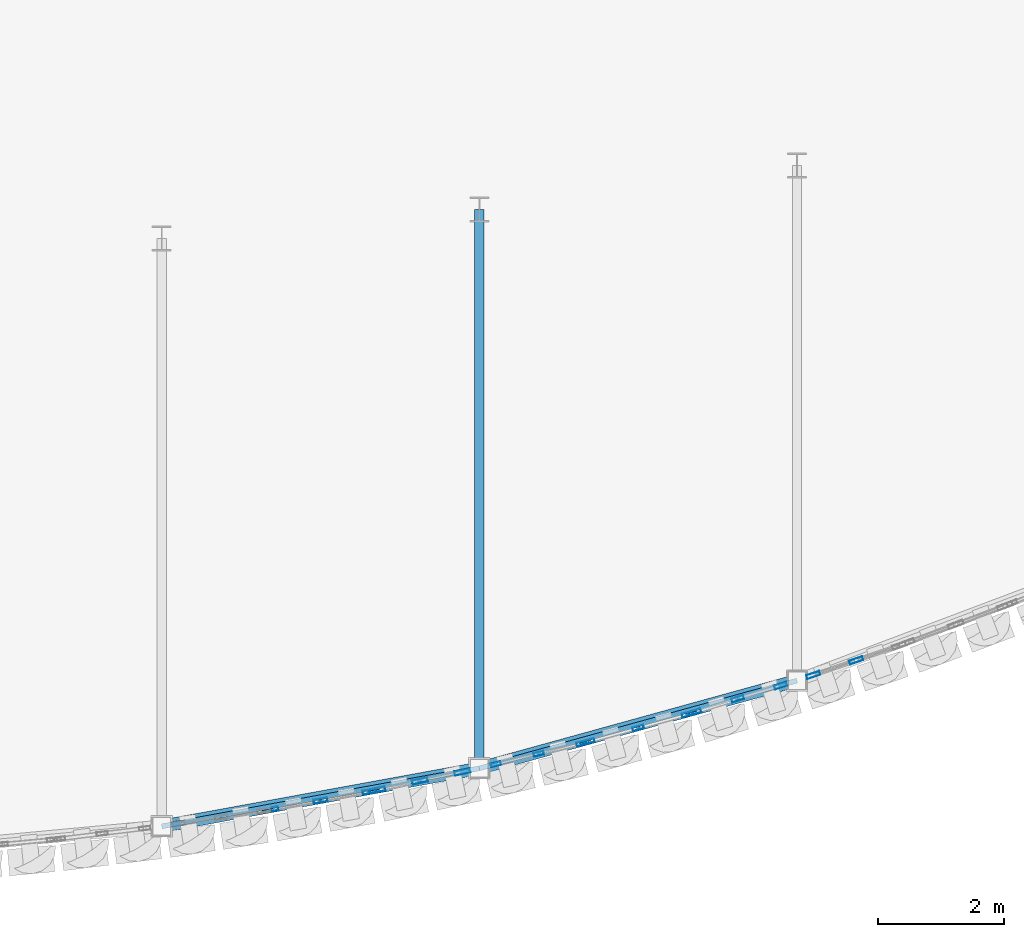
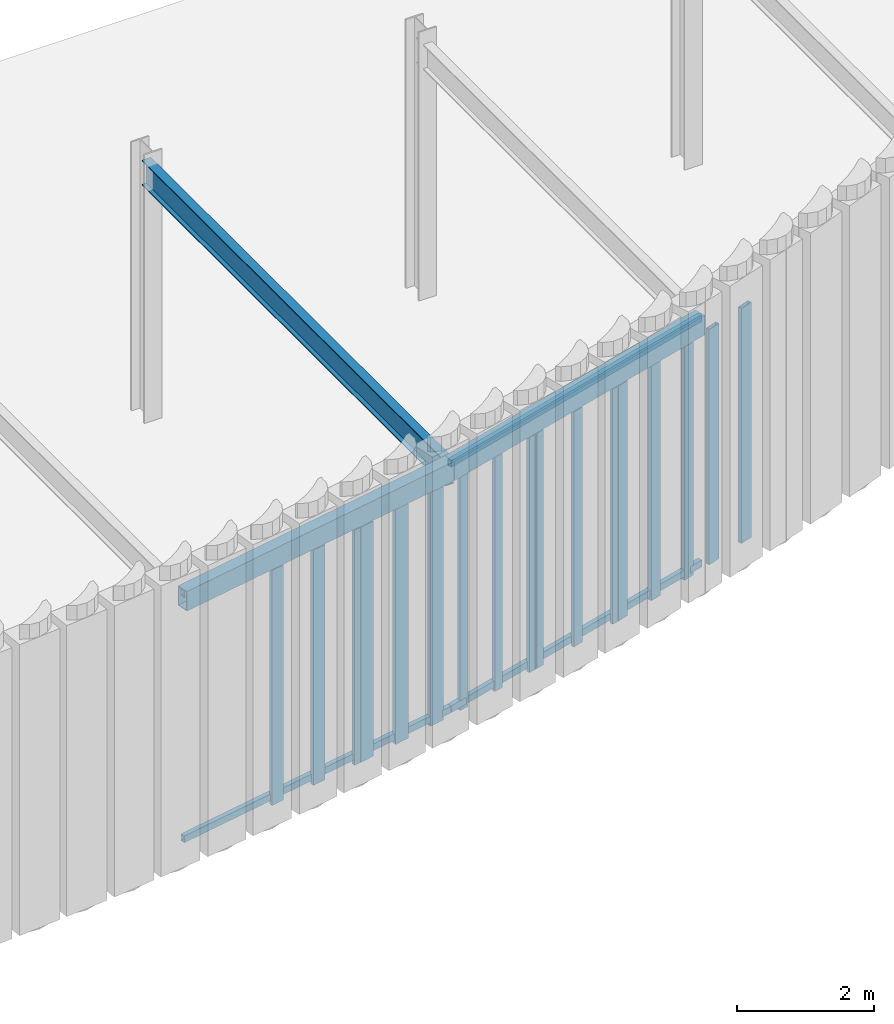
# One storey, part 47 of 126: 21 members, 3 beams, 6 elements without a shape of their own.
"""IFC4 building model written with IfcOpenShell, lengths in metres."""

import ifcopenshell
import ifcopenshell.guid

model = None  # the IFC model being written
_history = None  # IfcOwnerHistory: only IFC2X3 demands one
_inside = {}  # id of a spatial element -> (the spatial element, [elements in it])
_under = {}  # id of a project, library or spatial element -> (it, [spatial elements below it])
_declared = {}  # id of a project -> (the project, [libraries it declares])
_typed = {}  # id of a type object -> (the type object, [elements of that type])
_made_of = {}  # id of a material, layer set ... -> (it, [elements and type objects made of it])


def new_model(schema):
    """Start an empty IFC model of exactly this schema.

    Asked for "IFC4X3", IfcOpenShell would pick the latest addendum, in which some entities
    have other attributes; the version numbers below select the first issue.
    IFC2X3 requires an IfcOwnerHistory on every rooted entity: one is made here for all.
    """
    global model, _history
    if schema == "IFC4X3":
        model = ifcopenshell.file(schema_version=(4, 3, 0, 0))
    else:
        model = ifcopenshell.file(schema=schema)
    _inside.clear()
    _under.clear()
    _declared.clear()
    _typed.clear()
    _made_of.clear()
    _history = None
    if model.schema == "IFC2X3":
        org = make("IfcOrganization", Name="unknown")
        user = make(
            "IfcPersonAndOrganization",
            ThePerson=make("IfcPerson", FamilyName="unknown"),
            TheOrganization=org,
        )
        app = make(
            "IfcApplication",
            ApplicationDeveloper=org,
            Version="unknown",
            ApplicationFullName="unknown",
            ApplicationIdentifier="unknown",
        )
        _history = make(
            "IfcOwnerHistory",
            OwningUser=user,
            OwningApplication=app,
            ChangeAction="ADDED",
            CreationDate=0,
        )
    return model


def make(cls, **values):
    """One entity of the class cls with the attributes given. An attribute that is None is left unset."""
    return model.create_entity(
        cls, **{name: value for name, value in values.items() if value is not None}
    )


def rooted(cls, **values):
    """An entity with a GlobalId (a new one), such as an element, a storey or a relation."""
    return make(cls, GlobalId=ifcopenshell.guid.new(), OwnerHistory=_history, **values)


def si_unit(unit_type, name, prefix=None):
    """IfcSIUnit, for example si_unit("LENGTHUNIT", "METRE", prefix="MILLI")."""
    return make("IfcSIUnit", UnitType=unit_type, Prefix=prefix, Name=name)


def assignment(units):
    """IfcUnitAssignment: the units of a project."""
    return None if units is None else make("IfcUnitAssignment", Units=units)


def point(xyz):
    """IfcCartesianPoint."""
    return None if xyz is None else make("IfcCartesianPoint", Coordinates=xyz)


def direction(xyz):
    """IfcDirection."""
    return None if xyz is None else make("IfcDirection", DirectionRatios=xyz)


def frame(location, z_axis=None, x_axis=None):
    """IfcAxis2Placement3D, a coordinate frame: its origin and axes. An axis left out is left unset."""
    return make(
        "IfcAxis2Placement3D",
        Location=point(location),
        Axis=direction(z_axis),
        RefDirection=direction(x_axis),
    )


def frame_2d(location, x_axis=None):
    """IfcAxis2Placement2D, a coordinate frame in the plane: its origin and x axis."""
    return make(
        "IfcAxis2Placement2D", Location=point(location), RefDirection=direction(x_axis)
    )


def origin():
    """The frame at (0, 0, 0) with its axes left unset."""
    return frame((0.0, 0.0, 0.0))


def origin_2d():
    """The frame at (0, 0) in the plane with its x axis left unset."""
    return frame_2d((0.0, 0.0))


def place(relative_to, where):
    """IfcLocalPlacement: puts the frame where relative to a parent placement (None: the world)."""
    return make(
        "IfcLocalPlacement", PlacementRelTo=relative_to, RelativePlacement=where
    )


def context(
    kind, dimensions, precision=None, world=None, true_north=None, identifier=None
):
    """IfcGeometricRepresentationContext, for example the 3D "Model" context."""
    return make(
        "IfcGeometricRepresentationContext",
        ContextIdentifier=identifier,
        ContextType=kind,
        CoordinateSpaceDimension=dimensions,
        Precision=precision,
        WorldCoordinateSystem=world,
        TrueNorth=true_north,
    )


def subcontext(parent, identifier, kind, view, scale=None):
    """IfcGeometricRepresentationSubContext, for example "Body" below "Model"."""
    return make(
        "IfcGeometricRepresentationSubContext",
        ContextIdentifier=identifier,
        ContextType=kind,
        ParentContext=parent,
        TargetScale=scale,
        TargetView=view,
    )


def project(units=None, contexts=None):
    """IfcProject with its units and contexts."""
    return rooted(
        "IfcProject",
        Name="project",
        RepresentationContexts=contexts,
        UnitsInContext=assignment(units),
    )


def spatial(cls, under=None, at=None, **own):
    """A site, building, storey or space (cls), placed at a placement, below another one or the project."""
    s = rooted(cls, ObjectPlacement=at, **own)
    if under is not None:
        _under.setdefault(under.id(), (under, []))[1].append(s)
    return s


def profile(cls, at=None, kind="AREA", **sizes):
    """A parametric profile (cls). Its sizes go by their IFC names, for example OverallWidth=200.0."""
    return make(cls, ProfileType=kind, Position=at, **sizes)


def hollow_rectangle(**sizes):
    """IfcRectangleHollowProfileDef."""
    return profile("IfcRectangleHollowProfileDef", **sizes)


def i_section(**sizes):
    """IfcIShapeProfileDef."""
    return profile("IfcIShapeProfileDef", **sizes)


def extrude(swept, where, along, depth):
    """IfcExtrudedAreaSolid: the profile swept, set in the frame where, extruded along a direction by depth."""
    return make(
        "IfcExtrudedAreaSolid",
        SweptArea=swept,
        Position=where,
        ExtrudedDirection=direction(along),
        Depth=depth,
    )


def shape(context_of_items, identifier, shape_type, items):
    """IfcShapeRepresentation: the items that make up one representation, for example the "Body"."""
    return make(
        "IfcShapeRepresentation",
        ContextOfItems=context_of_items,
        RepresentationIdentifier=identifier,
        RepresentationType=shape_type,
        Items=items,
    )


def material(Name=None, Category=None):
    """IfcMaterial."""
    return make("IfcMaterial", Name=Name, Category=Category)


def layer(
    of_material, thickness, ventilated=None, Name=None, Category=None, Priority=None
):
    """IfcMaterialLayer: one layer of a wall or slab, of a material (None: an air gap)."""
    return make(
        "IfcMaterialLayer",
        Material=of_material,
        LayerThickness=thickness,
        IsVentilated=ventilated,
        Name=Name,
        Category=Category,
        Priority=Priority,
    )


def layer_set(layers, Name=None):
    """IfcMaterialLayerSet."""
    return make("IfcMaterialLayerSet", MaterialLayers=layers, LayerSetName=Name)


def material_profile(
    of_material, cross_section, Name=None, Category=None, Priority=None
):
    """IfcMaterialProfile: a cross section and its material."""
    return make(
        "IfcMaterialProfile",
        Name=Name,
        Material=of_material,
        Profile=cross_section,
        Priority=Priority,
        Category=Category,
    )


def profile_set(profiles, Name=None, composite=None):
    """IfcMaterialProfileSet."""
    return make(
        "IfcMaterialProfileSet",
        Name=Name,
        MaterialProfiles=profiles,
        CompositeProfile=composite,
    )


def made_of(thing, what):
    """Note that an element or type object is made of a material, layer set ...; save() writes the relation."""
    if what is not None:
        _made_of.setdefault(what.id(), (what, []))[1].append(thing)
    return thing


def type_object(cls, material=None, **own):
    """A type object (cls), such as IfcWallType, which elements share."""
    return made_of(rooted(cls, **own), material)


def element(
    cls,
    number,
    at=None,
    inside=None,
    cuts=None,
    type_object=None,
    material=None,
    context=None,
    identifier="Body",
    shape_type=None,
    held_by="IfcProductDefinitionShape",
    body=None,
    shapes=None,
    **own,
):
    """One element of the class cls, such as IfcWall. Its Tag is "e" and its number.

    at: its placement. inside: the storey or other place that contains it. cuts: it is an
    opening in that element (IfcRelVoidsElement). A single representation is given by context,
    identifier, shape_type and body (its items); several are given by shapes. held_by: the class
    of the entity that holds the representations. save() writes the other relations.
    """
    e = rooted(cls, Tag="e%d" % number, ObjectPlacement=at, **own)
    if body is not None:
        shapes = [shape(context, identifier, shape_type, body)]
    if shapes is not None:
        e.Representation = make(held_by, Representations=shapes)
    if inside is not None:
        _inside.setdefault(inside.id(), (inside, []))[1].append(e)
    if cuts is not None:
        rooted(
            "IfcRelVoidsElement", RelatingBuildingElement=cuts, RelatedOpeningElement=e
        )
    if type_object is not None:
        _typed.setdefault(type_object.id(), (type_object, []))[1].append(e)
    return made_of(e, material)


def aggregate(whole, parts):
    """IfcRelAggregates: a whole, such as a stair, and the parts it consists of."""
    return rooted("IfcRelAggregates", RelatingObject=whole, RelatedObjects=parts)


def save(model, path):
    """Write the relations noted so far, then the file.

    IfcRelAggregates (storeys below a building ...), IfcRelContainedInSpatialStructure (elements
    in a storey), IfcRelDefinesByType, IfcRelAssociatesMaterial and IfcRelDeclares: one each for
    every whole, place, type object, material and project.
    """
    for whole, parts in _under.values():
        aggregate(whole, parts)
    for where, things in _inside.values():
        rooted(
            "IfcRelContainedInSpatialStructure",
            RelatedElements=things,
            RelatingStructure=where,
        )
    for kind, things in _typed.values():
        rooted("IfcRelDefinesByType", RelatedObjects=things, RelatingType=kind)
    for what, things in _made_of.values():
        rooted("IfcRelAssociatesMaterial", RelatedObjects=things, RelatingMaterial=what)
    for by, libraries in _declared.values():
        rooted("IfcRelDeclares", RelatingContext=by, RelatedDefinitions=libraries)
    model.write(path)


model = new_model("IFC4")

# Units and contexts
model_context = context("Model", 3, precision=1e-05, world=origin(), true_north=direction((0.0, 1.0)))
body_context = subcontext(model_context, "Body", "Model", "MODEL_VIEW")
ifc_project = project(units=[si_unit("LENGTHUNIT", "METRE"), si_unit("AREAUNIT", "SQUARE_METRE"), si_unit("VOLUMEUNIT", "CUBIC_METRE"), si_unit("PLANEANGLEUNIT", "RADIAN"), si_unit("MASSUNIT", "GRAM", prefix="KILO")], contexts=[model_context])

# Site, building, storey
site_placement = place(None, origin())
site = spatial("IfcSite", under=ifc_project, at=site_placement, CompositionType="ELEMENT")
building_placement = place(site_placement, origin())
building = spatial("IfcBuilding", under=site, at=building_placement, Name="Solvadek Multi-Sports Hall", CompositionType="ELEMENT")
storey_placement = place(building_placement, frame((0.0, 0.0, 9.60009765625)))
storey = spatial("IfcBuildingStorey", under=building, at=storey_placement, Name="L02", CompositionType="ELEMENT", Elevation=9.60009765625)

# Curtain wall, members
ifc_material_1 = material(Name="Anodised aluminium", Category="aluminium")
ifc_layer_1 = layer(ifc_material_1, 0.159912109375, Name="Anodised aluminium")
ifc_layer_set_1 = layer_set([ifc_layer_1], Name="Anodised aluminium")
curtain_wall_type_1 = type_object("IfcCurtainWallType", Name="ENV-CW-146X420", PredefinedType="USERDEFINED", material=ifc_layer_set_1)
curtain_wall_1_placement = place(storey_placement, origin())
curtain_wall_1 = element("IfcCurtainWall", 1, at=curtain_wall_1_placement, inside=storey, type_object=curtain_wall_type_1, Name="L02 Crescent Curved Curtain Wall #80", ObjectType="CURTAIN WALL", PredefinedType="USERDEFINED")
ifc_material_profile_1 = material_profile(ifc_material_1, hollow_rectangle(XDim=0.06005859375, YDim=0.159912109375, WallThickness=0.00390625, at=origin_2d()), Name="ALU-M 160x60x4")
ifc_profile_set_1 = profile_set([ifc_material_profile_1], Name="Anodised aluminium")
member_type_1 = type_object("IfcMemberType", Name="ENV-CWM-01", PredefinedType="MULLION", material=ifc_profile_set_1)
member_1_placement = place(storey_placement, frame((106.822265625, -11.6748046875, 0.0), z_axis=(0.0, 0.0, 1.0), x_axis=(-0.237162825236, 0.971469914267, 0.0)))
member_1 = element("IfcMember", 2, at=member_1_placement, type_object=member_type_1, Name="CW-23 mullion 1", PredefinedType="MULLION", context=body_context, shape_type="SweptSolid", body=[
    extrude(hollow_rectangle(XDim=0.06005859375, YDim=0.159912109375, WallThickness=0.00390625, at=origin_2d()), origin(), (0.0, 0.0, 1.0), 4.199951171875),
])
member_2_placement = place(storey_placement, frame((107.501953125, -11.5087890625, 0.0), z_axis=(0.0, 0.0, 1.0), x_axis=(-0.237162825236, 0.971469914267, 0.0)))
member_2 = element("IfcMember", 3, at=member_2_placement, type_object=member_type_1, Name="CW-23 mullion 2", PredefinedType="MULLION", context=body_context, shape_type="SweptSolid", body=[
    extrude(hollow_rectangle(XDim=0.06005859375, YDim=0.159912109375, WallThickness=0.00390625, at=origin_2d()), origin(), (0.0, 0.0, 1.0), 4.199951171875),
])
member_3_placement = place(storey_placement, frame((108.181640625, -11.3427734375, 0.0), z_axis=(0.0, 0.0, 1.0), x_axis=(-0.237162825236, 0.971469914267, 0.0)))
member_3 = element("IfcMember", 4, at=member_3_placement, type_object=member_type_1, Name="CW-23 mullion 3", PredefinedType="MULLION", context=body_context, shape_type="SweptSolid", body=[
    extrude(hollow_rectangle(XDim=0.06005859375, YDim=0.159912109375, WallThickness=0.00390625, at=origin_2d()), origin(), (0.0, 0.0, 1.0), 4.199951171875),
])
aggregate(curtain_wall_1, [member_1, member_2, member_3])

ifc_layer_2 = layer(ifc_material_1, 0.159912109375, Name="Anodised aluminium")
ifc_layer_set_2 = layer_set([ifc_layer_2], Name="Anodised aluminium")
curtain_wall_type_2 = type_object("IfcCurtainWallType", Name="ENV-CW-168X420", PredefinedType="USERDEFINED", material=ifc_layer_set_2)
curtain_wall_2_placement = place(storey_placement, origin())
curtain_wall_2 = element("IfcCurtainWall", 5, at=curtain_wall_2_placement, inside=storey, type_object=curtain_wall_type_2, Name="L02 Crescent Curved Curtain Wall #82", ObjectType="CURTAIN WALL", PredefinedType="USERDEFINED")
ifc_material_profile_2 = material_profile(ifc_material_1, hollow_rectangle(XDim=0.06005859375, YDim=0.179931640625, WallThickness=0.00390625, at=origin_2d()), Name="ALU-M 180x60x4")
ifc_profile_set_2 = profile_set([ifc_material_profile_2], Name="Anodised aluminium")
member_type_2 = type_object("IfcMemberType", Name="ENV-CWM-02", PredefinedType="MULLION", material=ifc_profile_set_2)
member_4_placement = place(storey_placement, frame((108.2978515625, -11.3125, 0.0), z_axis=(0.0, 0.0, 1.0), x_axis=(-0.265982315271, 0.963977908441, 0.0)))
member_4 = element("IfcMember", 6, at=member_4_placement, type_object=member_type_2, Name="CW-22 mullion 1", PredefinedType="MULLION", context=body_context, shape_type="SweptSolid", body=[
    extrude(hollow_rectangle(XDim=0.06005859375, YDim=0.179931640625, WallThickness=0.00390625, at=origin_2d()), origin(), (0.0, 0.0, 1.0), 4.199951171875),
])
member_5_placement = place(storey_placement, frame((109.080078125, -11.0966796875, 0.0), z_axis=(0.0, 0.0, 1.0), x_axis=(-0.265982315271, 0.963977908441, 0.0)))
member_5 = element("IfcMember", 7, at=member_5_placement, type_object=member_type_2, Name="CW-22 mullion 2", PredefinedType="MULLION", context=body_context, shape_type="SweptSolid", body=[
    extrude(hollow_rectangle(XDim=0.06005859375, YDim=0.179931640625, WallThickness=0.00390625, at=origin_2d()), origin(), (0.0, 0.0, 1.0), 4.199951171875),
])
member_6_placement = place(storey_placement, frame((109.862060546875, -10.880859375, 0.0), z_axis=(0.0, 0.0, 1.0), x_axis=(-0.265982315271, 0.963977908441, 0.0)))
member_6 = element("IfcMember", 8, at=member_6_placement, type_object=member_type_2, Name="CW-22 mullion 3", PredefinedType="MULLION", context=body_context, shape_type="SweptSolid", body=[
    extrude(hollow_rectangle(XDim=0.06005859375, YDim=0.179931640625, WallThickness=0.00390625, at=origin_2d()), origin(), (0.0, 0.0, 1.0), 4.199951171875),
])
aggregate(curtain_wall_2, [member_4, member_5, member_6])

ifc_layer_3 = layer(ifc_material_1, 0.159912109375, Name="Anodised aluminium")
ifc_layer_set_3 = layer_set([ifc_layer_3], Name="Anodised aluminium")
curtain_wall_type_3 = type_object("IfcCurtainWallType", Name="ENV-CW-149X420", PredefinedType="USERDEFINED", material=ifc_layer_set_3)
curtain_wall_3_placement = place(storey_placement, origin())
curtain_wall_3 = element("IfcCurtainWall", 9, at=curtain_wall_3_placement, inside=storey, type_object=curtain_wall_type_3, Name="L02 Crescent Curved Curtain Wall #84", ObjectType="CURTAIN WALL", PredefinedType="USERDEFINED")
ifc_material_profile_3 = material_profile(ifc_material_1, hollow_rectangle(XDim=0.06494140625, YDim=0.199951171875, WallThickness=0.0048828125, at=origin_2d()), Name="ALU-M 200x65x5")
ifc_profile_set_3 = profile_set([ifc_material_profile_3], Name="Anodised aluminium")
member_type_3 = type_object("IfcMemberType", Name="ENV-CWM-03", PredefinedType="MULLION", material=ifc_profile_set_3)
member_7_placement = place(storey_placement, frame((109.979736328125, -10.8466796875, 0.0), z_axis=(0.0, 0.0, 1.0), x_axis=(-0.294921504432, 0.955521483915, 0.0)))
member_7 = element("IfcMember", 10, at=member_7_placement, type_object=member_type_3, Name="CW-21 mullion 1", PredefinedType="MULLION", context=body_context, shape_type="SweptSolid", body=[
    extrude(hollow_rectangle(XDim=0.06494140625, YDim=0.199951171875, WallThickness=0.0048828125, at=origin_2d()), origin(), (0.0, 0.0, 1.0), 4.199951171875),
])
member_8_placement = place(storey_placement, frame((110.65966796875, -10.63671875, 0.0), z_axis=(0.0, 0.0, 1.0), x_axis=(-0.294921504432, 0.955521483915, 0.0)))
member_8 = element("IfcMember", 11, at=member_8_placement, type_object=member_type_3, Name="CW-21 mullion 2", PredefinedType="MULLION", context=body_context, shape_type="SweptSolid", body=[
    extrude(hollow_rectangle(XDim=0.06494140625, YDim=0.199951171875, WallThickness=0.0048828125, at=origin_2d()), origin(), (0.0, 0.0, 1.0), 4.199951171875),
])
member_9_placement = place(storey_placement, frame((111.339599609375, -10.427001953125, 0.0), z_axis=(0.0, 0.0, 1.0), x_axis=(-0.294921504432, 0.955521483915, 0.0)))
member_9 = element("IfcMember", 12, at=member_9_placement, type_object=member_type_3, Name="CW-21 mullion 3", PredefinedType="MULLION", context=body_context, shape_type="SweptSolid", body=[
    extrude(hollow_rectangle(XDim=0.06494140625, YDim=0.199951171875, WallThickness=0.0048828125, at=origin_2d()), origin(), (0.0, 0.0, 1.0), 4.199951171875),
])
aggregate(curtain_wall_3, [member_7, member_8, member_9])

ifc_layer_4 = layer(ifc_material_1, 0.159912109375, Name="Anodised aluminium")
ifc_layer_set_4 = layer_set([ifc_layer_4], Name="Anodised aluminium")
curtain_wall_type_4 = type_object("IfcCurtainWallType", Name="ENV-CW-165X420", PredefinedType="USERDEFINED", material=ifc_layer_set_4)
curtain_wall_4_placement = place(storey_placement, origin())
curtain_wall_4 = element("IfcCurtainWall", 13, at=curtain_wall_4_placement, inside=storey, type_object=curtain_wall_type_4, Name="L02 Crescent Curved Curtain Wall #76", ObjectType="CURTAIN WALL", PredefinedType="USERDEFINED")
ifc_material_profile_4 = material_profile(ifc_material_1, hollow_rectangle(XDim=0.06494140625, YDim=0.219970703125, WallThickness=0.0048828125, at=origin_2d()), Name="ALU-M 220x65x5")
ifc_profile_set_4 = profile_set([ifc_material_profile_4], Name="Anodised aluminium")
member_type_4 = type_object("IfcMemberType", Name="ENV-CWM-04", PredefinedType="MULLION", material=ifc_profile_set_4)
member_10_placement = place(storey_placement, frame((103.261474609375, -12.3916015625, 0.0), z_axis=(0.0, 0.0, 1.0), x_axis=(-0.17939811869, 0.983776557461, 0.0)))
member_10 = element("IfcMember", 14, at=member_10_placement, type_object=member_type_4, Name="CW-25 mullion 1", PredefinedType="MULLION", context=body_context, shape_type="SweptSolid", body=[
    extrude(hollow_rectangle(XDim=0.06494140625, YDim=0.219970703125, WallThickness=0.0048828125, at=origin_2d()), origin(), (0.0, 0.0, 1.0), 4.199951171875),
])
member_11_placement = place(storey_placement, frame((104.0400390625, -12.24951171875, 0.0), z_axis=(0.0, 0.0, 1.0), x_axis=(-0.17939811869, 0.983776557461, 0.0)))
member_11 = element("IfcMember", 15, at=member_11_placement, type_object=member_type_4, Name="CW-25 mullion 2", PredefinedType="MULLION", context=body_context, shape_type="SweptSolid", body=[
    extrude(hollow_rectangle(XDim=0.06494140625, YDim=0.219970703125, WallThickness=0.0048828125, at=origin_2d()), origin(), (0.0, 0.0, 1.0), 4.199951171875),
])
member_12_placement = place(storey_placement, frame((104.818603515625, -12.107666015625, 0.0), z_axis=(0.0, 0.0, 1.0), x_axis=(-0.17939811869, 0.983776557461, 0.0)))
member_12 = element("IfcMember", 16, at=member_12_placement, type_object=member_type_4, Name="CW-25 mullion 3", PredefinedType="MULLION", context=body_context, shape_type="SweptSolid", body=[
    extrude(hollow_rectangle(XDim=0.06494140625, YDim=0.219970703125, WallThickness=0.0048828125, at=origin_2d()), origin(), (0.0, 0.0, 1.0), 4.199951171875),
])
aggregate(curtain_wall_4, [member_10, member_11, member_12])

ifc_layer_5 = layer(ifc_material_1, 0.159912109375, Name="Anodised aluminium")
ifc_layer_set_5 = layer_set([ifc_layer_5], Name="Anodised aluminium")
curtain_wall_type_5 = type_object("IfcCurtainWallType", Name="ENV-CW-151X420", PredefinedType="USERDEFINED", material=ifc_layer_set_5)
curtain_wall_5_placement = place(storey_placement, origin())
curtain_wall_5 = element("IfcCurtainWall", 17, at=curtain_wall_5_placement, inside=storey, type_object=curtain_wall_type_5, Name="L02 Crescent Curved Curtain Wall #86", ObjectType="CURTAIN WALL", PredefinedType="USERDEFINED")
member_13_placement = place(storey_placement, frame((111.85791015625, -10.25830078125, 0.0), z_axis=(0.0, 0.0, 1.0), x_axis=(-0.323729927138, 0.946149530611, 0.0)))
member_13 = element("IfcMember", 18, at=member_13_placement, type_object=member_type_4, Name="CW-20 mullion 1", PredefinedType="MULLION", context=body_context, shape_type="SweptSolid", body=[
    extrude(hollow_rectangle(XDim=0.06494140625, YDim=0.219970703125, WallThickness=0.0048828125, at=origin_2d()), origin(), (0.0, 0.0, 1.0), 4.199951171875),
])
member_14_placement = place(storey_placement, frame((112.539306640625, -10.025146484375, 0.0), z_axis=(0.0, 0.0, 1.0), x_axis=(-0.323729927138, 0.946149530611, 0.0)))
member_14 = element("IfcMember", 19, at=member_14_placement, type_object=member_type_4, Name="CW-20 mullion 2", PredefinedType="MULLION", context=body_context, shape_type="SweptSolid", body=[
    extrude(hollow_rectangle(XDim=0.06494140625, YDim=0.219970703125, WallThickness=0.0048828125, at=origin_2d()), origin(), (0.0, 0.0, 1.0), 4.199951171875),
])
aggregate(curtain_wall_5, [member_13, member_14])

ifc_layer_6 = layer(ifc_material_1, 0.159912109375, Name="Anodised aluminium")
ifc_layer_set_6 = layer_set([ifc_layer_6], Name="Anodised aluminium")
curtain_wall_type_6 = type_object("IfcCurtainWallType", Name="ENV-CW-145X420", PredefinedType="USERDEFINED", material=ifc_layer_set_6)
curtain_wall_6_placement = place(storey_placement, origin())
curtain_wall_6 = element("IfcCurtainWall", 20, at=curtain_wall_6_placement, inside=storey, type_object=curtain_wall_type_6, Name="L02 Crescent Curved Curtain Wall #78", ObjectType="CURTAIN WALL", PredefinedType="USERDEFINED")
ifc_material_profile_5 = material_profile(ifc_material_1, hollow_rectangle(XDim=0.070068359375, YDim=0.25, WallThickness=0.0048828125, at=origin_2d()), Name="ALU-M 250x70x5")
ifc_profile_set_5 = profile_set([ifc_material_profile_5], Name="Anodised aluminium")
member_type_5 = type_object("IfcMemberType", Name="ENV-CWM-05", PredefinedType="MULLION", material=ifc_profile_set_5)
member_15_placement = place(storey_placement, frame((104.943603515625, -12.0830078125, 0.0), z_axis=(0.0, 0.0, 1.0), x_axis=(-0.208255271166, 0.978074507403, 0.0)))
member_15 = element("IfcMember", 21, at=member_15_placement, type_object=member_type_5, Name="CW-24 mullion 1", PredefinedType="MULLION", context=body_context, shape_type="SweptSolid", body=[
    extrude(hollow_rectangle(XDim=0.070068359375, YDim=0.25, WallThickness=0.0048828125, at=origin_2d()), origin(), (0.0, 0.0, 1.0), 4.199951171875),
])
member_16_placement = place(storey_placement, frame((105.6171875, -11.939453125, 0.0), z_axis=(0.0, 0.0, 1.0), x_axis=(-0.208255271166, 0.978074507403, 0.0)))
member_16 = element("IfcMember", 22, at=member_16_placement, type_object=member_type_5, Name="CW-24 mullion 2", PredefinedType="MULLION", context=body_context, shape_type="SweptSolid", body=[
    extrude(hollow_rectangle(XDim=0.070068359375, YDim=0.25, WallThickness=0.0048828125, at=origin_2d()), origin(), (0.0, 0.0, 1.0), 4.199951171875),
])
member_17_placement = place(storey_placement, frame((106.291015625, -11.7958984375, 0.0), z_axis=(0.0, 0.0, 1.0), x_axis=(-0.208255271166, 0.978074507403, 0.0)))
member_17 = element("IfcMember", 23, at=member_17_placement, type_object=member_type_5, Name="CW-24 mullion 3", PredefinedType="MULLION", context=body_context, shape_type="SweptSolid", body=[
    extrude(hollow_rectangle(XDim=0.070068359375, YDim=0.25, WallThickness=0.0048828125, at=origin_2d()), origin(), (0.0, 0.0, 1.0), 4.199951171875),
])
aggregate(curtain_wall_6, [member_15, member_16, member_17])

# Beams
ifc_material_2 = material(Name="Steel E350 (350 MPa)", Category="steel")
ifc_material_profile_6 = material_profile(ifc_material_2, i_section(OverallWidth=0.14990234375, OverallDepth=0.449951171875, WebThickness=0.009521484375, FlangeThickness=0.017333984375, at=origin_2d()), Name="ISMB 450")
ifc_profile_set_6 = profile_set([ifc_material_profile_6], Name="Steel E350 (350 MPa)")
beam_type_1 = type_object("IfcBeamType", Name="STR-BM-ISMB450", PredefinedType="BEAM", material=ifc_profile_set_6)
beam_1_placement = place(storey_placement, frame((106.56005859375, -11.73876953125, 4.3349609375), z_axis=(0.0, 1.0, 0.0), x_axis=(-1.0, 0.0, 0.0)))
element("IfcBeam", 24, at=beam_1_placement, inside=storey, type_object=beam_type_1, Name="L02 Girder B-09 #1591", PredefinedType="BEAM", context=body_context, shape_type="SweptSolid", body=[
    extrude(i_section(OverallWidth=0.14990234375, OverallDepth=0.449951171875, WebThickness=0.009521484375, FlangeThickness=0.017333984375, at=origin_2d()), origin(), (0.0, 0.0, 1.0), 8.869384765625),
])
ifc_material_profile_7 = material_profile(ifc_material_2, hollow_rectangle(XDim=0.199951171875, YDim=0.35009765625, WallThickness=0.011962890625, at=origin_2d()), Name="RHS 350x200x12")
ifc_profile_set_7 = profile_set([ifc_material_profile_7], Name="Steel E350 (350 MPa)")
beam_type_2 = type_object("IfcBeamType", Name="STR-SPN-RHS350", PredefinedType="SPANDREL", material=ifc_profile_set_7)
beam_2_placement = place(storey_placement, frame((101.52001953125, -12.65869140625, 4.40478515625), z_axis=(0.983747689745, 0.179556350269, 0.0), x_axis=(-0.179556350269, 0.983747689745, 0.0)))
element("IfcBeam", 25, at=beam_2_placement, inside=storey, type_object=beam_type_2, Name="L02 Curved Crescent Spandrel #70", PredefinedType="SPANDREL", context=body_context, shape_type="SweptSolid", body=[
    extrude(hollow_rectangle(XDim=0.199951171875, YDim=0.35009765625, WallThickness=0.011962890625, at=origin_2d()), origin(), (0.0, 0.0, 1.0), 5.123291015625),
])
beam_3_placement = place(storey_placement, frame((106.56005859375, -11.73876953125, 4.40478515625), z_axis=(0.963895559966, 0.266280584116, 0.0), x_axis=(-0.266280584116, 0.963895559966, 0.0)))
element("IfcBeam", 26, at=beam_3_placement, inside=storey, type_object=beam_type_2, Name="L02 Curved Crescent Spandrel #71", PredefinedType="SPANDREL", context=body_context, shape_type="SweptSolid", body=[
    extrude(hollow_rectangle(XDim=0.199951171875, YDim=0.35009765625, WallThickness=0.011962890625, at=origin_2d()), origin(), (0.0, 0.0, 1.0), 5.228759765625),
])

# Members
ifc_material_3 = material(Name="Steel E250 (250 MPa)", Category="steel")
ifc_material_profile_8 = material_profile(ifc_material_3, hollow_rectangle(XDim=0.080078125, YDim=0.1201171875, WallThickness=0.006103515625, at=origin_2d()), Name="RHS 120x80x6")
ifc_profile_set_8 = profile_set([ifc_material_profile_8], Name="Steel E250 (250 MPa)")
member_type_6 = type_object("IfcMemberType", Name="STR-STD-RHS120", PredefinedType="STUD", material=ifc_profile_set_8)
for number, where, z_axis, x_axis, name in (
    (27, (101.52001953125, -12.65869140625, 0.119873046875), (0.983747689745, 0.179556350269, 0.0), (-0.179556350269, 0.983747689745, 0.0), "L02 Flute Subframe Rail E-4 bot"),
    (28, (101.52001953125, -12.65869140625, 4.5), (0.983747689745, 0.179556350269, 0.0), (-0.179556350269, 0.983747689745, 0.0), "L02 Flute Subframe Rail E-4 top"),
):
    element("IfcMember", number, at=place(storey_placement, frame(where, z_axis=z_axis, x_axis=x_axis)), inside=storey, type_object=member_type_6, Name=name, PredefinedType="STUD", context=body_context, shape_type="SweptSolid", body=[
        extrude(hollow_rectangle(XDim=0.080078125, YDim=0.1201171875, WallThickness=0.006103515625, at=origin_2d()), origin(), (0.0, 0.0, 1.0), 5.123291015625),
    ])
for number, where, z_axis, x_axis, name in (
    (29, (106.56005859375, -11.73876953125, 0.119873046875), (0.963895559966, 0.266280584116, 0.0), (-0.266280584116, 0.963895559966, 0.0), "L02 Flute Subframe Rail E-5 bot"),
    (30, (106.56005859375, -11.73876953125, 4.5), (0.963895559966, 0.266280584116, 0.0), (-0.266280584116, 0.963895559966, 0.0), "L02 Flute Subframe Rail E-5 top"),
):
    element("IfcMember", number, at=place(storey_placement, frame(where, z_axis=z_axis, x_axis=x_axis)), inside=storey, type_object=member_type_6, Name=name, PredefinedType="STUD", context=body_context, shape_type="SweptSolid", body=[
        extrude(hollow_rectangle(XDim=0.080078125, YDim=0.1201171875, WallThickness=0.006103515625, at=origin_2d()), origin(), (0.0, 0.0, 1.0), 5.228759765625),
    ])

save(model, "model.ifc")
